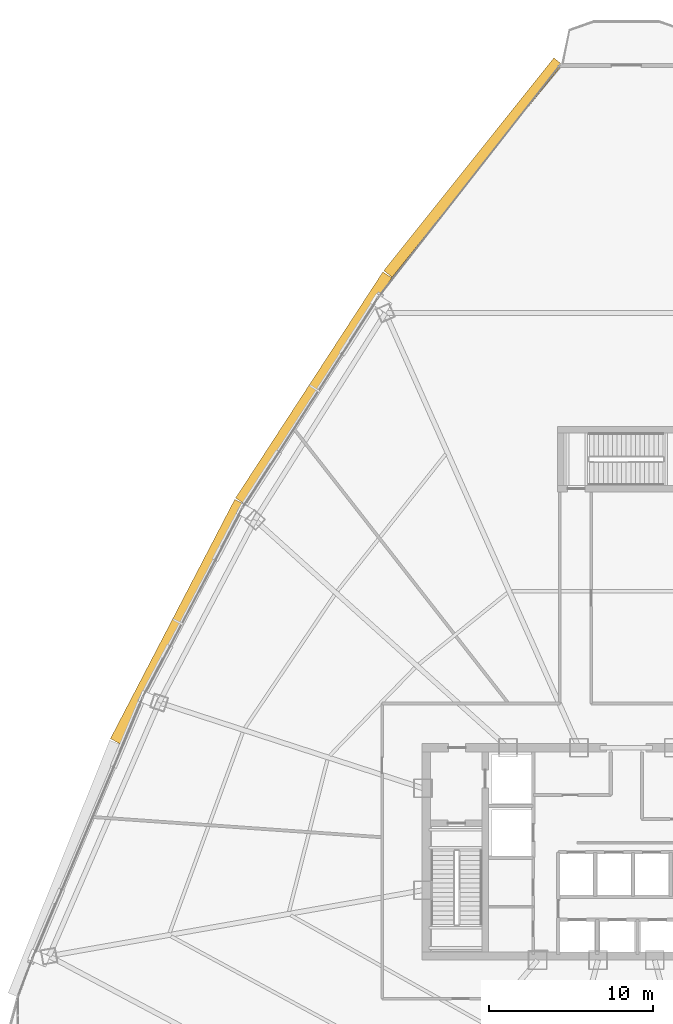
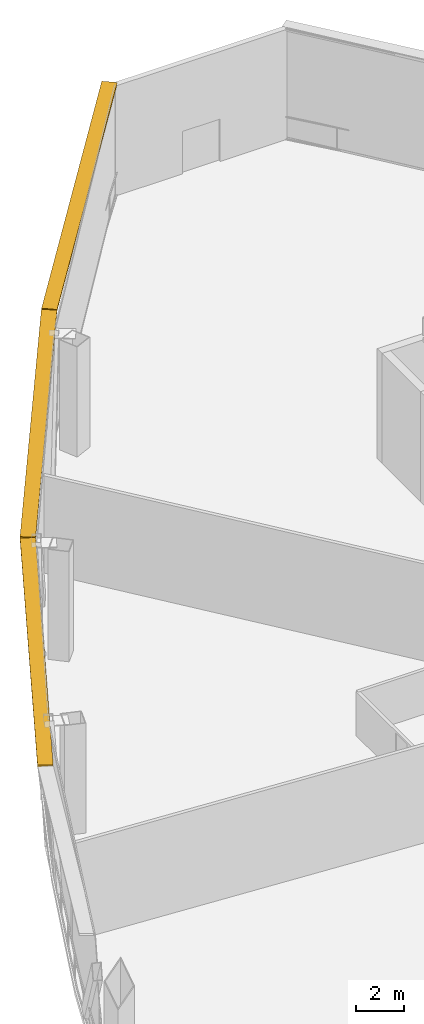
# One storey, part 35 of 38: 3 shading devices.
"""IFC4 building model written with IfcOpenShell, lengths in metres."""

from ifc_helpers import new_model, si_unit, direction, frame, origin, origin_2d, place, context, subcontext, project, spatial, rectangle, extrude, source, transform, mapped, material, layer, layer_set, type_object, element, save


model = new_model("IFC4")

# Units and contexts
model_context = context("Model", 3, precision=1e-05, world=origin(), true_north=direction((0.0, 1.0)))
body_context = subcontext(model_context, "Body", "Model", "MODEL_VIEW")
ifc_project = project(units=[si_unit("LENGTHUNIT", "METRE"), si_unit("AREAUNIT", "SQUARE_METRE"), si_unit("VOLUMEUNIT", "CUBIC_METRE"), si_unit("PLANEANGLEUNIT", "RADIAN"), si_unit("MASSUNIT", "GRAM", prefix="KILO"), si_unit("THERMODYNAMICTEMPERATUREUNIT", "KELVIN"), si_unit("POWERUNIT", "WATT")], contexts=[model_context])

# Site, building, storey
site_placement = place(None, origin())
site = spatial("IfcSite", under=ifc_project, at=site_placement, CompositionType="ELEMENT")
building_placement = place(site_placement, origin())
building = spatial("IfcBuilding", under=site, at=building_placement, Name="Yunzhuo Pagoda Commons", CompositionType="ELEMENT")
storey_placement = place(building_placement, frame((0.0, 0.0, 218.9599609375)))
storey = spatial("IfcBuildingStorey", under=building, at=storey_placement, Name="L55", CompositionType="ELEMENT", Elevation=218.9599609375)

# Shading devices
ifc_material = material(Name="Anodized aluminium 6063-T6", Category="aluminium")
ifc_layer = layer(ifc_material, 0.080078125)
ifc_layer_set = layer_set([ifc_layer], Name="Anodized aluminium 6063-T6")
shading_device_type = type_object("IfcShadingDeviceType", Name="SH-SUN1 Pagoda Horizontal Sunshade Eave 650", PredefinedType="USERDEFINED", material=ifc_layer_set)
shared_shape_1 = source(origin(), body_context, "Body", "SweptSolid", [
    extrude(rectangle(XDim=16.61181640625, YDim=0.64990234375, at=origin_2d()), origin(), (0.0, 0.0, 1.0), 0.080078125),
])
shading_device_placement = place(storey_placement, frame((38.64501953125, 75.581298828125, 5.489990234375), z_axis=(0.0, 0.0, 1.0), x_axis=(-0.624520471688, -0.781008438138, 0.0)))
element("IfcShadingDevice", 1, at=shading_device_placement, inside=storey, type_object=shading_device_type, Name="L55 horizontal pagoda sunshade eave F3.1", ObjectType="SUNSHADE", PredefinedType="USERDEFINED", context=body_context, shape_type="MappedRepresentation", body=[
    mapped(shared_shape_1, transform((0.0, 0.0, 0.0), scale=1.0)),
])
shared_shape_2 = source(origin(), body_context, "Body", "SweptSolid", [
    extrude(rectangle(XDim=16.4541015625, YDim=0.64990234375, at=origin_2d()), origin(), (0.0, 0.0, 1.0), 0.080078125),
])
for number, where, z_axis, x_axis, name in (
    (2, (28.929931640625, 62.14990234375, 5.489990234375), (0.0, 0.0, 1.0), (-0.545838756973, -0.837890238269, 0.0), "L55 horizontal pagoda sunshade eave F3.2"),
    (3, (20.61279296875, 47.90185546875, 5.489990234375), (0.0, 0.0, 1.0), (-0.461206683033, -0.88729273384, 0.0), "L55 horizontal pagoda sunshade eave F3.3"),
):
    element("IfcShadingDevice", number, at=place(storey_placement, frame(where, z_axis=z_axis, x_axis=x_axis)), inside=storey, type_object=shading_device_type, Name=name, ObjectType="SUNSHADE", PredefinedType="USERDEFINED", context=body_context, shape_type="MappedRepresentation", body=[
        mapped(shared_shape_2, transform((0.0, 0.0, 0.0), scale=1.0)),
    ])

save(model, "model.ifc")
